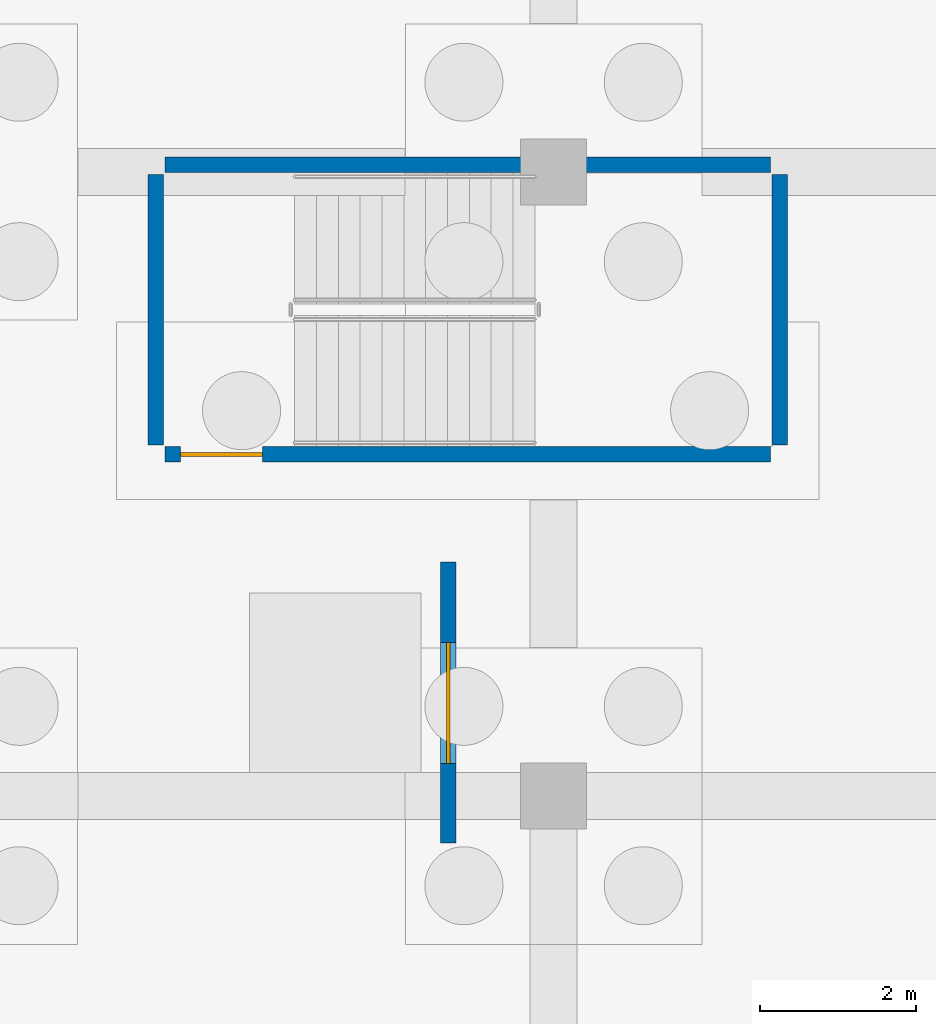
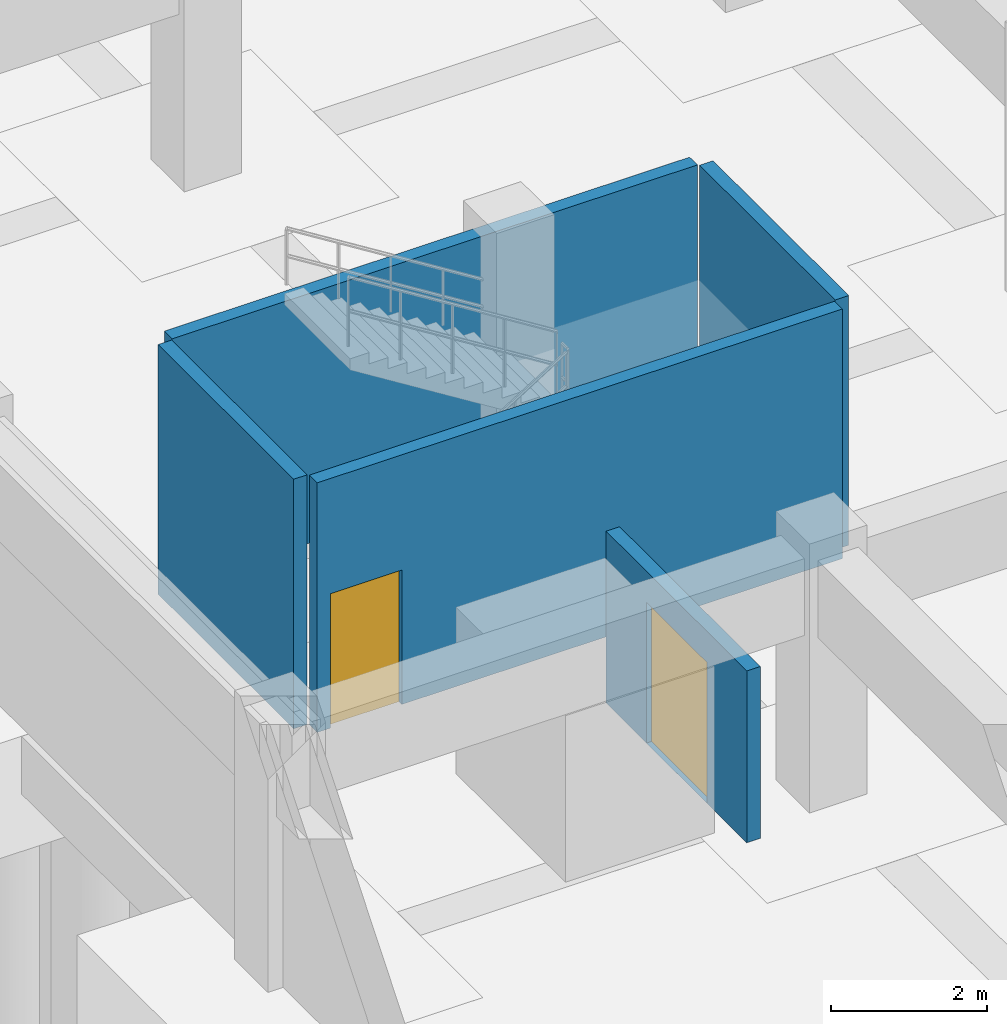
# One storey, part 16 of 23: 5 walls, 2 doors, 2 openings.
"""IFC4 building model written with IfcOpenShell, lengths in metres."""

from ifc_helpers import new_model, si_unit, direction, frame, frame_2d, origin, place, context, subcontext, project, spatial, rectangle, extrude, material, layer, layer_set, type_object, element, fill, save


model = new_model("IFC4")

# Units and contexts
model_context = context("Model", 3, precision=1e-05, world=origin(), true_north=direction((0.0, 1.0)))
body_context = subcontext(model_context, "Body", "Model", "MODEL_VIEW")
ifc_project = project(units=[si_unit("LENGTHUNIT", "METRE"), si_unit("AREAUNIT", "SQUARE_METRE"), si_unit("VOLUMEUNIT", "CUBIC_METRE"), si_unit("PLANEANGLEUNIT", "RADIAN"), si_unit("MASSUNIT", "GRAM", prefix="KILO")], contexts=[model_context])

# Site, building, storey
site_placement = place(None, origin())
site = spatial("IfcSite", under=ifc_project, at=site_placement, CompositionType="ELEMENT")
building_placement = place(site_placement, origin())
building = spatial("IfcBuilding", under=site, at=building_placement, Name="Kelanora Arch Commons", CompositionType="ELEMENT")
storey_placement = place(building_placement, frame((0.0, 0.0, -8.39990234375)))
storey = spatial("IfcBuildingStorey", under=building, at=storey_placement, Name="B02", CompositionType="ELEMENT", Elevation=-8.39990234375)

# Wall, opening, door
ifc_material_1 = material(Name="Concrete C40/50", Category="concrete")
ifc_layer_1 = layer(ifc_material_1, 0.199951171875)
ifc_layer_set_1 = layer_set([ifc_layer_1], Name="Concrete C40/50")
wall_type_1 = type_object("IfcWallType", Name="W-FFL-200", PredefinedType="SOLIDWALL", material=ifc_layer_set_1)
wall_1_placement = place(storey_placement, frame((10.64990234375, 65.39990234375, 0.0), z_axis=(0.0, 0.0, 1.0), x_axis=(0.0, 1.0, 0.0)))
wall_1 = element("IfcWall", 1, at=wall_1_placement, inside=storey, type_object=wall_type_1, Name="Market West Goods Lift Shaft Front B02", PredefinedType="SOLIDWALL", context=body_context, shape_type="SweptSolid", body=[
    extrude(rectangle(XDim=3.60009765625, YDim=0.199951171875, at=frame_2d((1.800048828125, 0.0))), origin(), (0.0, 0.0, 1.0), 2.684814453125),
])
opening_1_placement = place(wall_1_placement, frame((1.02001953125, 0.0, 0.0)))
opening_1 = element("IfcOpeningElement", 2, at=opening_1_placement, cuts=wall_1, Name="Opening LD-GD", PredefinedType="OPENING", context=body_context, shape_type="SweptSolid", body=[
    extrude(rectangle(XDim=1.550048828125, YDim=2.199951171875, at=frame_2d((0.77490234375, 1.10009765625))), frame((0.0, 0.10986328125, 0.0), z_axis=(0.0, -1.0, 0.0), x_axis=(1.0, 0.0, 0.0)), (0.0, 0.0, 1.0), 0.219970703125),
])
ifc_material_2 = material(Name="Heavy-duty goods lift bi-parting sliding landing door")
door_type_1 = type_object("IfcDoorType", Name="D-LIFT-GDS", OperationType="NOTDEFINED", PredefinedType="DOOR", material=ifc_material_2)
door_1_placement = place(opening_1_placement, origin())
door_1 = element("IfcDoor", 3, at=door_1_placement, inside=storey, type_object=door_type_1, Name="Market Goods Lift LF-MG2 Landing Door B02", OperationType="DOUBLE_DOOR_SLIDING", OverallHeight=2.199951171875, OverallWidth=1.550048828125, PredefinedType="DOOR", context=body_context, shape_type="SweptSolid", body=[
    extrude(rectangle(XDim=1.550048828125, YDim=2.199951171875, at=frame_2d((0.77490234375, 1.10009765625))), frame((0.0, 0.02490234375, 0.0), z_axis=(0.0, -1.0, 0.0), x_axis=(1.0, 0.0, 0.0)), (0.0, 0.0, 1.0), 0.050048828125),
])
fill(opening_1, door_1)

ifc_layer_2 = layer(ifc_material_1, 0.199951171875)
ifc_layer_set_2 = layer_set([ifc_layer_2], Name="Concrete C40/50")
wall_type_2 = type_object("IfcWallType", Name="W-STAIR-200", PredefinedType="SHEAR", material=ifc_layer_set_2)
wall_2_placement = place(storey_placement, frame((7.02001953125, 70.3798828125, 0.0), z_axis=(0.0, 0.0, 1.0), x_axis=(1.0, 0.0, 0.0)))
wall_2 = element("IfcWall", 4, at=wall_2_placement, inside=storey, type_object=wall_type_2, Name="Stair ST-M3 Shaft Wall S B02", PredefinedType="SHEAR", context=body_context, shape_type="SweptSolid", body=[
    extrude(rectangle(XDim=7.760009765625, YDim=0.199951171875, at=frame_2d((3.8798828125, 0.0))), origin(), (0.0, 0.0, 1.0), 3.89990234375),
])
opening_2_placement = place(wall_2_placement, frame((0.199951171875, 0.0, 0.0)))
opening_2 = element("IfcOpeningElement", 5, at=opening_2_placement, cuts=wall_2, Name="Opening D-ST1", PredefinedType="OPENING", context=body_context, shape_type="SweptSolid", body=[
    extrude(rectangle(XDim=1.050048828125, YDim=2.10009765625, at=frame_2d((0.52490234375, 1.050048828125))), frame((0.0, 0.10986328125, 0.0), z_axis=(0.0, -1.0, 0.0), x_axis=(1.0, 0.0, 0.0)), (0.0, 0.0, 1.0), 0.219970703125),
])
ifc_material_3 = material(Name="Steel fire-rated stairwell escape door", Category="steel")
door_type_2 = type_object("IfcDoorType", Name="D-STAIR-110", OperationType="NOTDEFINED", PredefinedType="DOOR", material=ifc_material_3)
door_2_placement = place(opening_2_placement, origin())
door_2 = element("IfcDoor", 6, at=door_2_placement, inside=storey, type_object=door_type_2, Name="Stair ST-M3 Escape Door B02", OperationType="SINGLE_SWING_LEFT", OverallHeight=2.10009765625, OverallWidth=1.050048828125, PredefinedType="DOOR", context=body_context, shape_type="SweptSolid", body=[
    extrude(rectangle(XDim=1.050048828125, YDim=2.10009765625, at=frame_2d((0.52490234375, 1.050048828125))), frame((0.0, 0.02490234375, 0.0), z_axis=(0.0, -1.0, 0.0), x_axis=(1.0, 0.0, 0.0)), (0.0, 0.0, 1.0), 0.050048828125),
])
fill(opening_2, door_2)

# Walls
wall_3_placement = place(storey_placement, frame((14.89990234375, 70.5, 0.0), z_axis=(0.0, 0.0, 1.0), x_axis=(0.0, 1.0, 0.0)))
element("IfcWall", 7, at=wall_3_placement, inside=storey, type_object=wall_type_2, Name="Stair ST-M3 Shaft Wall E B02", PredefinedType="SHEAR", context=body_context, shape_type="SweptSolid", body=[
    extrude(rectangle(XDim=3.469970703125, YDim=0.199951171875, at=frame_2d((1.73486328125, 0.0))), origin(), (0.0, 0.0, 1.0), 3.89990234375),
])
wall_4_placement = place(storey_placement, frame((14.780029296875, 74.090087890625, 0.0), z_axis=(0.0, 0.0, 1.0), x_axis=(-1.0, 0.0, 0.0)))
element("IfcWall", 8, at=wall_4_placement, inside=storey, type_object=wall_type_2, Name="Stair ST-M3 Shaft Wall N B02", PredefinedType="SHEAR", context=body_context, shape_type="SweptSolid", body=[
    extrude(rectangle(XDim=7.760009765625, YDim=0.199951171875, at=frame_2d((3.8798828125, 0.0))), origin(), (0.0, 0.0, 1.0), 3.89990234375),
])
wall_5_placement = place(storey_placement, frame((6.89990234375, 73.969970703125, 0.0), z_axis=(0.0, 0.0, 1.0), x_axis=(0.0, -1.0, 0.0)))
element("IfcWall", 9, at=wall_5_placement, inside=storey, type_object=wall_type_2, Name="Stair ST-M3 Shaft Wall W B02", PredefinedType="SHEAR", context=body_context, shape_type="SweptSolid", body=[
    extrude(rectangle(XDim=3.469970703125, YDim=0.199951171875, at=frame_2d((1.73486328125, 0.0))), origin(), (0.0, 0.0, 1.0), 3.89990234375),
])

save(model, "model.ifc")
